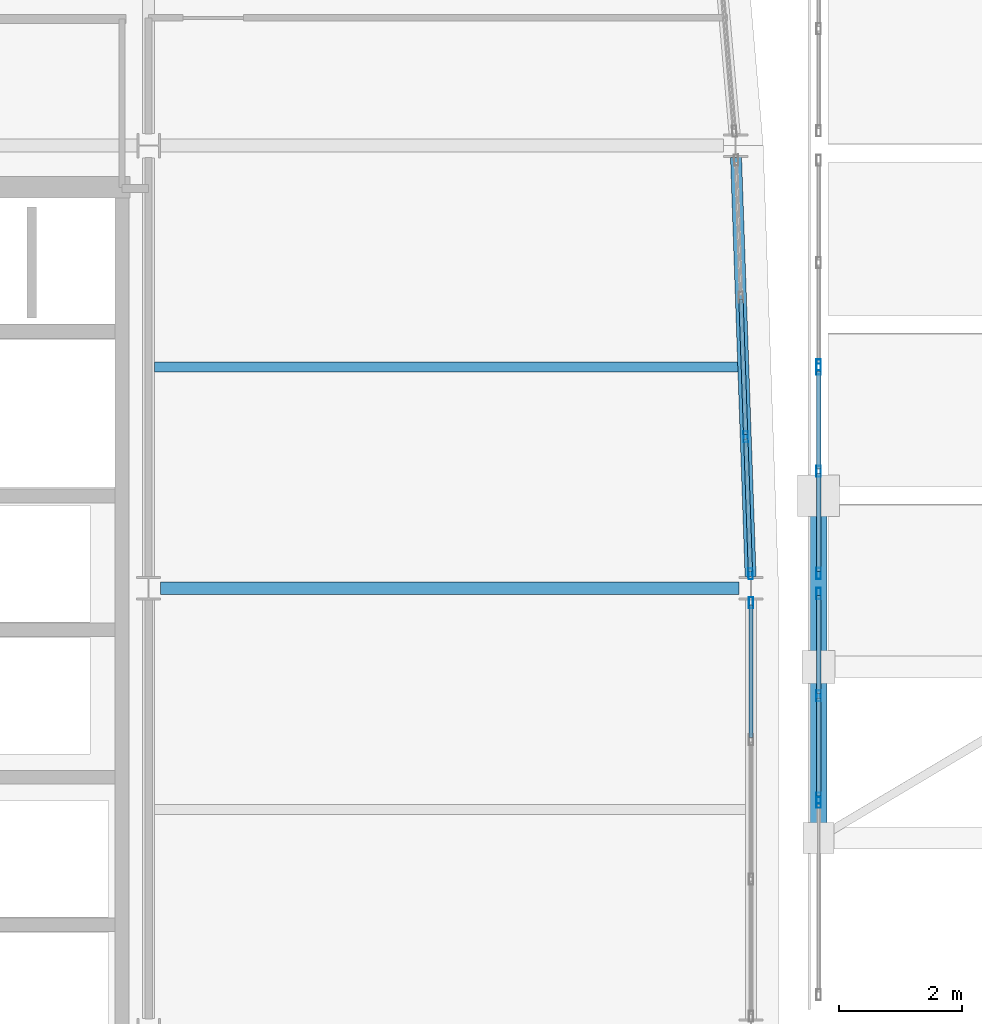
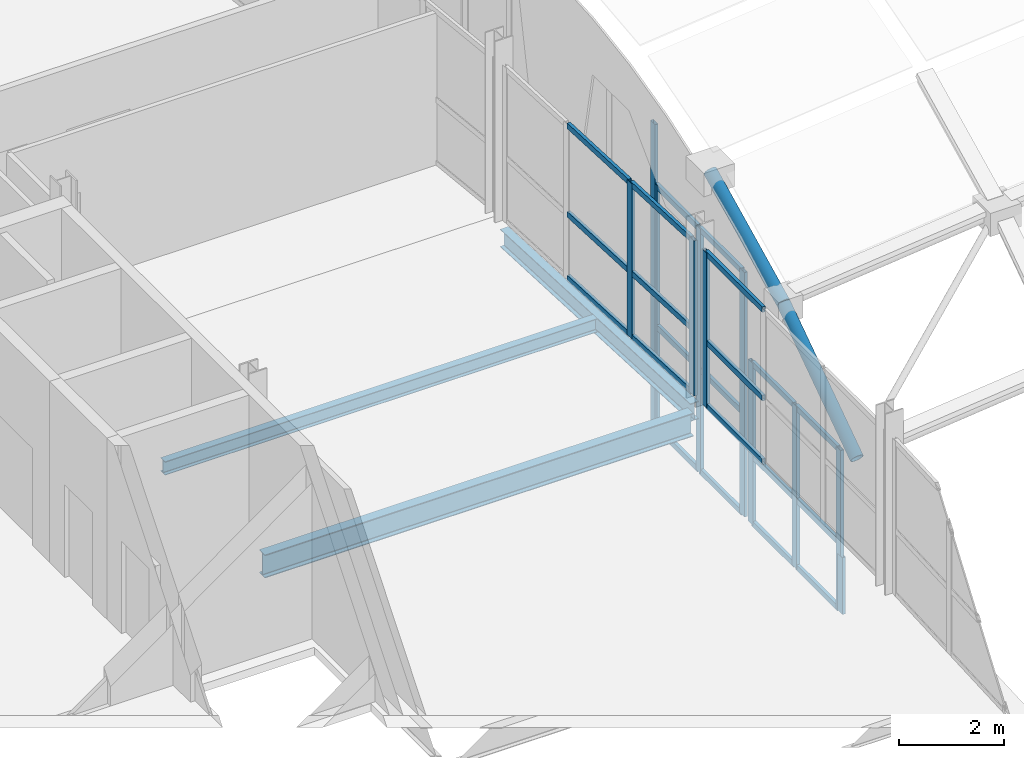
# One storey, part 20 of 65: 32 members, 5 beams, 6 elements without a shape of their own.
"""IFC4 building model written with IfcOpenShell, lengths in metres."""

from ifc_helpers import new_model, si_unit, direction, frame, origin, origin_2d, place, context, subcontext, project, spatial, hollow_rectangle, hollow_circle, i_section, extrude, material, layer, layer_set, material_profile, profile_set, type_object, element, aggregate, save


model = new_model("IFC4")

# Units and contexts
model_context = context("Model", 3, precision=1e-05, world=origin(), true_north=direction((0.0, 1.0)))
body_context = subcontext(model_context, "Body", "Model", "MODEL_VIEW")
ifc_project = project(units=[si_unit("LENGTHUNIT", "METRE"), si_unit("AREAUNIT", "SQUARE_METRE"), si_unit("VOLUMEUNIT", "CUBIC_METRE"), si_unit("PLANEANGLEUNIT", "RADIAN"), si_unit("MASSUNIT", "GRAM", prefix="KILO")], contexts=[model_context])

# Site, building, storey
site_placement = place(None, origin())
site = spatial("IfcSite", under=ifc_project, at=site_placement, CompositionType="ELEMENT")
building_placement = place(site_placement, origin())
building = spatial("IfcBuilding", under=site, at=building_placement, Name="Quillay Park Conservatory", CompositionType="ELEMENT")
storey_placement = place(building_placement, frame((0.0, 0.0, 14.10009765625)))
storey = spatial("IfcBuildingStorey", under=building, at=storey_placement, Name="L03", CompositionType="ELEMENT", Elevation=14.10009765625)

# Beam
ifc_material_1 = material(Name="Steel ASTM A992 Grade 50", Category="steel")
ifc_material_profile_1 = material_profile(ifc_material_1, i_section(OverallWidth=0.166015625, OverallDepth=0.31298828125, WebThickness=0.006591796875, FlangeThickness=0.01123046875, FilletRadius=0.010009765625, at=origin_2d()), Name="W310x45")
ifc_profile_set_1 = profile_set([ifc_material_profile_1], Name="Steel ASTM A992 Grade 50")
beam_type_1 = type_object("IfcBeamType", Name="COMPOSITE FLOOR JOIST W310 X45", PredefinedType="JOIST", material=ifc_profile_set_1)
beam_1_placement = place(storey_placement, frame((19.845947265625, 96.0, -0.341552734375), z_axis=(1.0, 0.0, 0.0), x_axis=(0.0, 1.0, 0.0)))
element("IfcBeam", 1, at=beam_1_placement, inside=storey, type_object=beam_type_1, Name="L03 beam BM-J-0297", PredefinedType="JOIST", context=body_context, shape_type="SweptSolid", body=[
    extrude(i_section(OverallWidth=0.166015625, OverallDepth=0.31298828125, WebThickness=0.006591796875, FlangeThickness=0.01123046875, FilletRadius=0.010009765625, at=origin_2d()), origin(), (0.0, 0.0, 1.0), 9.489013671875),
])

# Curtain wall, member
ifc_material_2 = material(Name="Thermally Broken Anodised Aluminium 6063-T6", Category="aluminium")
ifc_layer_1 = layer(ifc_material_2, 0.179931640625)
ifc_layer_set_1 = layer_set([ifc_layer_1], Name="UNITISED CURTAIN WALL TOWER (Thermally Broken Anodised Aluminium 6063-T6)")
curtain_wall_type_1 = type_object("IfcCurtainWallType", Name="UNITISED CURTAIN WALL TOWER", PredefinedType="USERDEFINED", material=ifc_layer_set_1)
curtain_wall_1_placement = place(storey_placement, origin())
curtain_wall_1 = element("IfcCurtainWall", 2, at=curtain_wall_1_placement, inside=storey, type_object=curtain_wall_type_1, Name="L03 Unitised Curtain Wall 031", ObjectType="UNITISED CURTAIN WALL", PredefinedType="USERDEFINED")
ifc_material_3 = material(Name="Thermally Broken Anodised Aluminium 6063-T6", Category="aluminium")
ifc_material_profile_2 = material_profile(ifc_material_3, hollow_rectangle(XDim=0.070068359375, YDim=0.179931640625, WallThickness=0.00390625, at=origin_2d()), Name="AL70x180x4")
ifc_profile_set_2 = profile_set([ifc_material_profile_2], Name="Thermally Broken Anodised Aluminium 6063-T6")
member_type_1 = type_object("IfcMemberType", Name="CURTAIN WALL MULLION 70 X180", PredefinedType="MULLION", material=ifc_profile_set_2)
member_1_placement = place(storey_placement, frame((29.550048828125, 92.1650390625, 0.0), z_axis=(0.0, 0.0, 1.0), x_axis=(1.0, 0.0, 0.0)))
member_1 = element("IfcMember", 3, at=member_1_placement, type_object=member_type_1, Name="CW-T1 mullion 1", PredefinedType="MULLION", context=body_context, shape_type="SweptSolid", body=[
    extrude(hollow_rectangle(XDim=0.070068359375, YDim=0.179931640625, WallThickness=0.00390625, at=origin_2d()), origin(), (0.0, 0.0, 1.0), 3.598876953125),
])

# Curtain wall, members
curtain_wall_2_placement = place(storey_placement, origin())
curtain_wall_2 = element("IfcCurtainWall", 4, at=curtain_wall_2_placement, inside=storey, type_object=curtain_wall_type_1, Name="L03 Unitised Curtain Wall 032", ObjectType="UNITISED CURTAIN WALL", PredefinedType="USERDEFINED")
member_2_placement = place(storey_placement, frame((29.46435546875, 94.86669921875, 0.0), z_axis=(0.0, 0.0, 1.0), x_axis=(0.999397310446, 0.034713338537, 0.0)))
member_2 = element("IfcMember", 5, at=member_2_placement, type_object=member_type_1, Name="CW-T1 mullion 3", PredefinedType="MULLION", context=body_context, shape_type="SweptSolid", body=[
    extrude(hollow_rectangle(XDim=0.070068359375, YDim=0.179931640625, WallThickness=0.00390625, at=origin_2d()), origin(), (0.0, 0.0, 1.0), 3.598876953125),
])
member_3_placement = place(storey_placement, frame((29.5419921875, 92.634765625, 0.0), z_axis=(0.0, 0.0, 1.0), x_axis=(0.999397310446, 0.034713338537, 0.0)))
member_3 = element("IfcMember", 6, at=member_3_placement, type_object=member_type_1, Name="CW-T1 mullion 4", PredefinedType="MULLION", context=body_context, shape_type="SweptSolid", body=[
    extrude(hollow_rectangle(XDim=0.070068359375, YDim=0.179931640625, WallThickness=0.00390625, at=origin_2d()), origin(), (0.0, 0.0, 1.0), 3.598876953125),
])

# Curtain wall, member
ifc_material_4 = material(Name="Thermally Broken Anodised Aluminium 6063-T6", Category="aluminium")
ifc_layer_2 = layer(ifc_material_4, 0.219970703125)
ifc_layer_set_2 = layer_set([ifc_layer_2], Name="UNITISED CURTAIN WALL CONSERVATORY (Thermally Broken Anodised Aluminium 6063-T6)")
curtain_wall_type_2 = type_object("IfcCurtainWallType", Name="UNITISED CURTAIN WALL CONSERVATORY", PredefinedType="USERDEFINED", material=ifc_layer_set_2)
curtain_wall_3_placement = place(storey_placement, origin())
curtain_wall_3 = element("IfcCurtainWall", 7, at=curtain_wall_3_placement, inside=storey, type_object=curtain_wall_type_2, Name="L03 Unitised Curtain Wall 175", ObjectType="UNITISED CURTAIN WALL", PredefinedType="USERDEFINED")
member_4_placement = place(storey_placement, frame((30.64990234375, 88.9150390625, -3.2001953125), z_axis=(0.0, 0.0, 1.0), x_axis=(-1.0, 0.0, 0.0)))
member_4 = element("IfcMember", 8, at=member_4_placement, type_object=member_type_1, Name="CW-C1 mullion 2", PredefinedType="MULLION", context=body_context, shape_type="SweptSolid", body=[
    extrude(hollow_rectangle(XDim=0.070068359375, YDim=0.179931640625, WallThickness=0.00390625, at=origin_2d()), origin(), (0.0, 0.0, 1.0), 1.318115234375),
])
aggregate(curtain_wall_3, [member_4])

# Curtain wall, members
curtain_wall_4_placement = place(storey_placement, origin())
curtain_wall_4 = element("IfcCurtainWall", 9, at=curtain_wall_4_placement, inside=storey, type_object=curtain_wall_type_2, Name="L03 Unitised Curtain Wall 177", ObjectType="UNITISED CURTAIN WALL", PredefinedType="USERDEFINED")
member_5_placement = place(storey_placement, frame((30.64990234375, 88.985107421875, -3.2001953125), z_axis=(0.0, 0.0, 1.0), x_axis=(-1.0, 0.0, 0.0)))
member_5 = element("IfcMember", 10, at=member_5_placement, type_object=member_type_1, Name="CW-C1 mullion 1", PredefinedType="MULLION", context=body_context, shape_type="SweptSolid", body=[
    extrude(hollow_rectangle(XDim=0.070068359375, YDim=0.179931640625, WallThickness=0.00390625, at=origin_2d()), origin(), (0.0, 0.0, 1.0), 3.76318359375),
])
member_6_placement = place(storey_placement, frame((30.64990234375, 90.64990234375, -3.2001953125), z_axis=(0.0, 0.0, 1.0), x_axis=(-1.0, 0.0, 0.0)))
member_6 = element("IfcMember", 11, at=member_6_placement, type_object=member_type_1, Name="CW-C1 mullion 2", PredefinedType="MULLION", context=body_context, shape_type="SweptSolid", body=[
    extrude(hollow_rectangle(XDim=0.070068359375, YDim=0.179931640625, WallThickness=0.00390625, at=origin_2d()), origin(), (0.0, 0.0, 1.0), 3.76318359375),
])
member_7_placement = place(storey_placement, frame((30.64990234375, 92.31494140625, -3.2001953125), z_axis=(0.0, 0.0, 1.0), x_axis=(-1.0, 0.0, 0.0)))
member_7 = element("IfcMember", 12, at=member_7_placement, type_object=member_type_1, Name="CW-C1 mullion 3", PredefinedType="MULLION", context=body_context, shape_type="SweptSolid", body=[
    extrude(hollow_rectangle(XDim=0.070068359375, YDim=0.179931640625, WallThickness=0.00390625, at=origin_2d()), origin(), (0.0, 0.0, 1.0), 3.76318359375),
])

curtain_wall_5_placement = place(storey_placement, origin())
curtain_wall_5 = element("IfcCurtainWall", 13, at=curtain_wall_5_placement, inside=storey, type_object=curtain_wall_type_2, Name="L03 Unitised Curtain Wall 179", ObjectType="UNITISED CURTAIN WALL", PredefinedType="USERDEFINED")
member_8_placement = place(storey_placement, frame((30.64990234375, 92.639892578125, -3.2001953125), z_axis=(0.0, 0.0, 1.0), x_axis=(-1.0, 0.0, 0.0)))
member_8 = element("IfcMember", 14, at=member_8_placement, type_object=member_type_1, Name="CW-C1 mullion 1", PredefinedType="MULLION", context=body_context, shape_type="SweptSolid", body=[
    extrude(hollow_rectangle(XDim=0.070068359375, YDim=0.179931640625, WallThickness=0.00390625, at=origin_2d()), origin(), (0.0, 0.0, 1.0), 5.673583984375),
])
member_9_placement = place(storey_placement, frame((30.64990234375, 94.302490234375, -3.2001953125), z_axis=(0.0, 0.0, 1.0), x_axis=(-1.0, 0.0, 0.0)))
member_9 = element("IfcMember", 15, at=member_9_placement, type_object=member_type_1, Name="CW-C1 mullion 2", PredefinedType="MULLION", context=body_context, shape_type="SweptSolid", body=[
    extrude(hollow_rectangle(XDim=0.070068359375, YDim=0.179931640625, WallThickness=0.00390625, at=origin_2d()), origin(), (0.0, 0.0, 1.0), 5.673583984375),
])
member_10_placement = place(storey_placement, frame((30.64990234375, 95.965087890625, -3.2001953125), z_axis=(0.0, 0.0, 1.0), x_axis=(-1.0, 0.0, 0.0)))
member_10 = element("IfcMember", 16, at=member_10_placement, type_object=member_type_1, Name="CW-C1 mullion 3", PredefinedType="MULLION", context=body_context, shape_type="SweptSolid", body=[
    extrude(hollow_rectangle(XDim=0.070068359375, YDim=0.179931640625, WallThickness=0.00390625, at=origin_2d()), origin(), (0.0, 0.0, 1.0), 5.673583984375),
])

# Curtain wall, member
curtain_wall_6_placement = place(storey_placement, origin())
curtain_wall_6 = element("IfcCurtainWall", 17, at=curtain_wall_6_placement, inside=storey, type_object=curtain_wall_type_2, Name="L03 Unitised Curtain Wall 180", ObjectType="UNITISED CURTAIN WALL", PredefinedType="USERDEFINED")
member_11_placement = place(storey_placement, frame((30.64990234375, 96.034912109375, -3.2001953125), z_axis=(0.0, 0.0, 1.0), x_axis=(-1.0, 0.0, 0.0)))
member_11 = element("IfcMember", 18, at=member_11_placement, type_object=member_type_1, Name="CW-C1 mullion 1", PredefinedType="MULLION", context=body_context, shape_type="SweptSolid", body=[
    extrude(hollow_rectangle(XDim=0.070068359375, YDim=0.179931640625, WallThickness=0.00390625, at=origin_2d()), origin(), (0.0, 0.0, 1.0), 7.044677734375),
])
aggregate(curtain_wall_6, [member_11])

# Member
ifc_material_5 = material(Name="Thermally Broken Anodised Aluminium 6063-T6", Category="aluminium")
ifc_material_profile_3 = material_profile(ifc_material_5, hollow_rectangle(XDim=0.070068359375, YDim=0.1298828125, WallThickness=0.003173828125, at=origin_2d()), Name="AL70x130x3.2")
ifc_profile_set_3 = profile_set([ifc_material_profile_3], Name="Thermally Broken Anodised Aluminium 6063-T6")
member_type_2 = type_object("IfcMemberType", Name="CURTAIN WALL TRANSOM 70 X130", PredefinedType="USERDEFINED", material=ifc_profile_set_3)
member_12_placement = place(storey_placement, frame((29.550048828125, 92.1298828125, 0.034912109375), z_axis=(0.0, -1.0, 0.0), x_axis=(1.0, 0.0, 0.0)))
member_12 = element("IfcMember", 19, at=member_12_placement, type_object=member_type_2, Name="CW-T1 transom 1.1", ObjectType="TRANSOM", PredefinedType="USERDEFINED", context=body_context, shape_type="SweptSolid", body=[
    extrude(hollow_rectangle(XDim=0.070068359375, YDim=0.1298828125, WallThickness=0.003173828125, at=origin_2d()), origin(), (0.0, 0.0, 1.0), 2.16162109375),
])

member_13_placement = place(storey_placement, frame((29.550048828125, 92.1298828125, 1.511474609375), z_axis=(0.0, -1.0, 0.0), x_axis=(1.0, 0.0, 0.0)))
member_13 = element("IfcMember", 20, at=member_13_placement, type_object=member_type_2, Name="CW-T1 transom 1.2", ObjectType="TRANSOM", PredefinedType="USERDEFINED", context=body_context, shape_type="SweptSolid", body=[
    extrude(hollow_rectangle(XDim=0.070068359375, YDim=0.1298828125, WallThickness=0.003173828125, at=origin_2d()), origin(), (0.0, 0.0, 1.0), 2.16162109375),
])

member_14_placement = place(storey_placement, frame((29.550048828125, 92.1298828125, 3.56396484375), z_axis=(0.0, -1.0, 0.0), x_axis=(1.0, 0.0, 0.0)))
member_14 = element("IfcMember", 21, at=member_14_placement, type_object=member_type_2, Name="CW-T1 transom 1.3", ObjectType="TRANSOM", PredefinedType="USERDEFINED", context=body_context, shape_type="SweptSolid", body=[
    extrude(hollow_rectangle(XDim=0.070068359375, YDim=0.1298828125, WallThickness=0.003173828125, at=origin_2d()), origin(), (0.0, 0.0, 1.0), 2.16162109375),
])

aggregate(curtain_wall_1, [member_1, member_12, member_13, member_14])

member_15_placement = place(storey_placement, frame((29.386962890625, 97.098388671875, 0.034912109375), z_axis=(0.034653546152, -0.999399385501, 0.0), x_axis=(0.999399385501, 0.034653546152, 0.0)))
member_15 = element("IfcMember", 22, at=member_15_placement, type_object=member_type_2, Name="CW-T1 transom 2.1", ObjectType="TRANSOM", PredefinedType="USERDEFINED", context=body_context, shape_type="SweptSolid", body=[
    extrude(hollow_rectangle(XDim=0.070068359375, YDim=0.1298828125, WallThickness=0.003173828125, at=origin_2d()), origin(), (0.0, 0.0, 1.0), 2.197998046875),
])

member_16_placement = place(storey_placement, frame((29.386962890625, 97.098388671875, 1.511474609375), z_axis=(0.034653546152, -0.999399385501, 0.0), x_axis=(0.999399385501, 0.034653546152, 0.0)))
member_16 = element("IfcMember", 23, at=member_16_placement, type_object=member_type_2, Name="CW-T1 transom 2.2", ObjectType="TRANSOM", PredefinedType="USERDEFINED", context=body_context, shape_type="SweptSolid", body=[
    extrude(hollow_rectangle(XDim=0.070068359375, YDim=0.1298828125, WallThickness=0.003173828125, at=origin_2d()), origin(), (0.0, 0.0, 1.0), 2.197998046875),
])

member_17_placement = place(storey_placement, frame((29.386962890625, 97.098388671875, 3.56396484375), z_axis=(0.034653546152, -0.999399385501, 0.0), x_axis=(0.999399385501, 0.034653546152, 0.0)))
member_17 = element("IfcMember", 24, at=member_17_placement, type_object=member_type_2, Name="CW-T1 transom 2.3", ObjectType="TRANSOM", PredefinedType="USERDEFINED", context=body_context, shape_type="SweptSolid", body=[
    extrude(hollow_rectangle(XDim=0.070068359375, YDim=0.1298828125, WallThickness=0.003173828125, at=origin_2d()), origin(), (0.0, 0.0, 1.0), 2.197998046875),
])

member_18_placement = place(storey_placement, frame((29.465576171875, 94.83154296875, 0.034912109375), z_axis=(0.034765508592, -0.999395496994, 0.0), x_axis=(0.999395496994, 0.034765508592, 0.0)))
member_18 = element("IfcMember", 25, at=member_18_placement, type_object=member_type_2, Name="CW-T1 transom 3.1", ObjectType="TRANSOM", PredefinedType="USERDEFINED", context=body_context, shape_type="SweptSolid", body=[
    extrude(hollow_rectangle(XDim=0.070068359375, YDim=0.1298828125, WallThickness=0.003173828125, at=origin_2d()), origin(), (0.0, 0.0, 1.0), 2.162841796875),
])

member_19_placement = place(storey_placement, frame((29.465576171875, 94.83154296875, 1.511474609375), z_axis=(0.034765508592, -0.999395496994, 0.0), x_axis=(0.999395496994, 0.034765508592, 0.0)))
member_19 = element("IfcMember", 26, at=member_19_placement, type_object=member_type_2, Name="CW-T1 transom 3.2", ObjectType="TRANSOM", PredefinedType="USERDEFINED", context=body_context, shape_type="SweptSolid", body=[
    extrude(hollow_rectangle(XDim=0.070068359375, YDim=0.1298828125, WallThickness=0.003173828125, at=origin_2d()), origin(), (0.0, 0.0, 1.0), 2.162841796875),
])

member_20_placement = place(storey_placement, frame((29.465576171875, 94.83154296875, 3.56396484375), z_axis=(0.034765508592, -0.999395496994, 0.0), x_axis=(0.999395496994, 0.034765508592, 0.0)))
member_20 = element("IfcMember", 27, at=member_20_placement, type_object=member_type_2, Name="CW-T1 transom 3.3", ObjectType="TRANSOM", PredefinedType="USERDEFINED", context=body_context, shape_type="SweptSolid", body=[
    extrude(hollow_rectangle(XDim=0.070068359375, YDim=0.1298828125, WallThickness=0.003173828125, at=origin_2d()), origin(), (0.0, 0.0, 1.0), 2.162841796875),
])

aggregate(curtain_wall_2, [member_2, member_3, member_15, member_16, member_17, member_18, member_19, member_20])

member_21_placement = place(storey_placement, frame((30.64990234375, 89.02001953125, -3.1650390625), z_axis=(0.0, 1.0, 0.0), x_axis=(-1.0, 0.0, 0.0)))
member_21 = element("IfcMember", 28, at=member_21_placement, type_object=member_type_2, Name="CW-C1 transom 1.1", ObjectType="TRANSOM", PredefinedType="USERDEFINED", context=body_context, shape_type="SweptSolid", body=[
    extrude(hollow_rectangle(XDim=0.070068359375, YDim=0.1298828125, WallThickness=0.003173828125, at=origin_2d()), origin(), (0.0, 0.0, 1.0), 1.594970703125),
])

member_22_placement = place(storey_placement, frame((30.64990234375, 89.02001953125, -1.61962890625), z_axis=(0.0, 1.0, 0.0), x_axis=(-1.0, 0.0, 0.0)))
member_22 = element("IfcMember", 29, at=member_22_placement, type_object=member_type_2, Name="CW-C1 transom 1.2", ObjectType="TRANSOM", PredefinedType="USERDEFINED", context=body_context, shape_type="SweptSolid", body=[
    extrude(hollow_rectangle(XDim=0.070068359375, YDim=0.1298828125, WallThickness=0.003173828125, at=origin_2d()), origin(), (0.0, 0.0, 1.0), 1.594970703125),
])

member_23_placement = place(storey_placement, frame((30.64990234375, 89.02001953125, 0.528076171875), z_axis=(0.0, 1.0, 0.0), x_axis=(-1.0, 0.0, 0.0)))
member_23 = element("IfcMember", 30, at=member_23_placement, type_object=member_type_2, Name="CW-C1 transom 1.3", ObjectType="TRANSOM", PredefinedType="USERDEFINED", context=body_context, shape_type="SweptSolid", body=[
    extrude(hollow_rectangle(XDim=0.070068359375, YDim=0.1298828125, WallThickness=0.003173828125, at=origin_2d()), origin(), (0.0, 0.0, 1.0), 1.594970703125),
])

member_24_placement = place(storey_placement, frame((30.64990234375, 90.68505859375, -3.1650390625), z_axis=(0.0, 1.0, 0.0), x_axis=(-1.0, 0.0, 0.0)))
member_24 = element("IfcMember", 31, at=member_24_placement, type_object=member_type_2, Name="CW-C1 transom 2.1", ObjectType="TRANSOM", PredefinedType="USERDEFINED", context=body_context, shape_type="SweptSolid", body=[
    extrude(hollow_rectangle(XDim=0.070068359375, YDim=0.1298828125, WallThickness=0.003173828125, at=origin_2d()), origin(), (0.0, 0.0, 1.0), 1.594970703125),
])

member_25_placement = place(storey_placement, frame((30.64990234375, 90.68505859375, -1.61962890625), z_axis=(0.0, 1.0, 0.0), x_axis=(-1.0, 0.0, 0.0)))
member_25 = element("IfcMember", 32, at=member_25_placement, type_object=member_type_2, Name="CW-C1 transom 2.2", ObjectType="TRANSOM", PredefinedType="USERDEFINED", context=body_context, shape_type="SweptSolid", body=[
    extrude(hollow_rectangle(XDim=0.070068359375, YDim=0.1298828125, WallThickness=0.003173828125, at=origin_2d()), origin(), (0.0, 0.0, 1.0), 1.594970703125),
])

member_26_placement = place(storey_placement, frame((30.64990234375, 90.68505859375, 0.528076171875), z_axis=(0.0, 1.0, 0.0), x_axis=(-1.0, 0.0, 0.0)))
member_26 = element("IfcMember", 33, at=member_26_placement, type_object=member_type_2, Name="CW-C1 transom 2.3", ObjectType="TRANSOM", PredefinedType="USERDEFINED", context=body_context, shape_type="SweptSolid", body=[
    extrude(hollow_rectangle(XDim=0.070068359375, YDim=0.1298828125, WallThickness=0.003173828125, at=origin_2d()), origin(), (0.0, 0.0, 1.0), 1.594970703125),
])

aggregate(curtain_wall_4, [member_5, member_6, member_7, member_21, member_22, member_23, member_24, member_25, member_26])

member_27_placement = place(storey_placement, frame((30.64990234375, 92.675048828125, -3.1650390625), z_axis=(0.0, 1.0, 0.0), x_axis=(-1.0, 0.0, 0.0)))
member_27 = element("IfcMember", 34, at=member_27_placement, type_object=member_type_2, Name="CW-C1 transom 1.1", ObjectType="TRANSOM", PredefinedType="USERDEFINED", context=body_context, shape_type="SweptSolid", body=[
    extrude(hollow_rectangle(XDim=0.070068359375, YDim=0.1298828125, WallThickness=0.003173828125, at=origin_2d()), origin(), (0.0, 0.0, 1.0), 1.592529296875),
])

member_28_placement = place(storey_placement, frame((30.64990234375, 92.675048828125, -0.8173828125), z_axis=(0.0, 1.0, 0.0), x_axis=(-1.0, 0.0, 0.0)))
member_28 = element("IfcMember", 35, at=member_28_placement, type_object=member_type_2, Name="CW-C1 transom 1.2", ObjectType="TRANSOM", PredefinedType="USERDEFINED", context=body_context, shape_type="SweptSolid", body=[
    extrude(hollow_rectangle(XDim=0.070068359375, YDim=0.1298828125, WallThickness=0.003173828125, at=origin_2d()), origin(), (0.0, 0.0, 1.0), 1.592529296875),
])

member_29_placement = place(storey_placement, frame((30.64990234375, 92.675048828125, 2.438232421875), z_axis=(0.0, 1.0, 0.0), x_axis=(-1.0, 0.0, 0.0)))
member_29 = element("IfcMember", 36, at=member_29_placement, type_object=member_type_2, Name="CW-C1 transom 1.3", ObjectType="TRANSOM", PredefinedType="USERDEFINED", context=body_context, shape_type="SweptSolid", body=[
    extrude(hollow_rectangle(XDim=0.070068359375, YDim=0.1298828125, WallThickness=0.003173828125, at=origin_2d()), origin(), (0.0, 0.0, 1.0), 1.592529296875),
])

member_30_placement = place(storey_placement, frame((30.64990234375, 94.33740234375, -3.1650390625), z_axis=(0.0, 1.0, 0.0), x_axis=(-1.0, 0.0, 0.0)))
member_30 = element("IfcMember", 37, at=member_30_placement, type_object=member_type_2, Name="CW-C1 transom 2.1", ObjectType="TRANSOM", PredefinedType="USERDEFINED", context=body_context, shape_type="SweptSolid", body=[
    extrude(hollow_rectangle(XDim=0.070068359375, YDim=0.1298828125, WallThickness=0.003173828125, at=origin_2d()), origin(), (0.0, 0.0, 1.0), 1.592529296875),
])

member_31_placement = place(storey_placement, frame((30.64990234375, 94.33740234375, -0.8173828125), z_axis=(0.0, 1.0, 0.0), x_axis=(-1.0, 0.0, 0.0)))
member_31 = element("IfcMember", 38, at=member_31_placement, type_object=member_type_2, Name="CW-C1 transom 2.2", ObjectType="TRANSOM", PredefinedType="USERDEFINED", context=body_context, shape_type="SweptSolid", body=[
    extrude(hollow_rectangle(XDim=0.070068359375, YDim=0.1298828125, WallThickness=0.003173828125, at=origin_2d()), origin(), (0.0, 0.0, 1.0), 1.592529296875),
])

member_32_placement = place(storey_placement, frame((30.64990234375, 94.33740234375, 2.438232421875), z_axis=(0.0, 1.0, 0.0), x_axis=(-1.0, 0.0, 0.0)))
member_32 = element("IfcMember", 39, at=member_32_placement, type_object=member_type_2, Name="CW-C1 transom 2.3", ObjectType="TRANSOM", PredefinedType="USERDEFINED", context=body_context, shape_type="SweptSolid", body=[
    extrude(hollow_rectangle(XDim=0.070068359375, YDim=0.1298828125, WallThickness=0.003173828125, at=origin_2d()), origin(), (0.0, 0.0, 1.0), 1.592529296875),
])

aggregate(curtain_wall_5, [member_8, member_9, member_10, member_27, member_28, member_29, member_30, member_31, member_32])

# Beams
ifc_material_6 = material(Name="Steel S355J2H", Category="steel")
ifc_material_profile_4 = material_profile(ifc_material_6, hollow_circle(Radius=0.136474609375, WallThickness=0.012451171875, at=origin_2d()), Name="CHS273x12.5")
ifc_profile_set_4 = profile_set([ifc_material_profile_4], Name="Steel S355J2H")
beam_type_2 = type_object("IfcBeamType", Name="GRIDSHELL ARCH BEAM CHS273", PredefinedType="USERDEFINED", material=ifc_profile_set_4)
beam_2_placement = place(storey_placement, frame((30.64990234375, 88.3349609375, 0.711181640625), z_axis=(0.0, 0.824682609274, 0.565595786725), x_axis=(-1.0, 0.0, 0.0)))
element("IfcBeam", 40, at=beam_2_placement, inside=storey, type_object=beam_type_2, Name="Gridshell member GS-ARCH-00-01", ObjectType="GRIDSHELL ARCH BEAM", PredefinedType="USERDEFINED", context=body_context, shape_type="SweptSolid", body=[
    extrude(hollow_circle(Radius=0.136474609375, WallThickness=0.012451171875, at=origin_2d()), origin(), (0.0, 0.0, 1.0), 3.377197265625),
])
beam_3_placement = place(storey_placement, frame((30.64990234375, 91.1201171875, 2.621337890625), z_axis=(0.0, 0.897163004175, 0.441699608262), x_axis=(-1.0, 0.0, 0.0)))
element("IfcBeam", 41, at=beam_3_placement, inside=storey, type_object=beam_type_2, Name="Gridshell member GS-ARCH-00-02", ObjectType="GRIDSHELL ARCH BEAM", PredefinedType="USERDEFINED", context=body_context, shape_type="SweptSolid", body=[
    extrude(hollow_circle(Radius=0.136474609375, WallThickness=0.012451171875, at=origin_2d()), origin(), (0.0, 0.0, 1.0), 3.104248046875),
])
ifc_material_7 = material(Name="Steel ASTM A992 Grade 50", Category="steel")
ifc_material_profile_5 = material_profile(ifc_material_7, i_section(OverallWidth=0.179931640625, OverallDepth=0.4130859375, WebThickness=0.009765625, FlangeThickness=0.01611328125, FilletRadius=0.011962890625, at=origin_2d()), Name="W410x74")
ifc_profile_set_5 = profile_set([ifc_material_profile_5], Name="Steel ASTM A992 Grade 50")
beam_type_3 = type_object("IfcBeamType", Name="PERIMETER SPANDREL BEAM W410 X74", PredefinedType="SPANDREL", material=ifc_profile_set_5)
beam_4_placement = place(storey_placement, frame((29.54345703125, 92.58984375, -0.3916015625), z_axis=(-0.034701310006, 0.999397728176, 0.0), x_axis=(-0.999397728176, -0.034701310006, 0.0)))
element("IfcBeam", 42, at=beam_4_placement, inside=storey, type_object=beam_type_3, Name="L03 beam BM-SPE-0293", PredefinedType="SPANDREL", context=body_context, shape_type="SweptSolid", body=[
    extrude(i_section(OverallWidth=0.179931640625, OverallDepth=0.4130859375, WebThickness=0.009765625, FlangeThickness=0.01611328125, FilletRadius=0.011962890625, at=origin_2d()), origin(), (0.0, 0.0, 1.0), 6.824462890625),
])
ifc_material_8 = material(Name="Steel ASTM A992 Grade 50", Category="steel")
ifc_material_profile_6 = material_profile(ifc_material_8, i_section(OverallWidth=0.2109375, OverallDepth=0.5390625, WebThickness=0.01171875, FlangeThickness=0.018798828125, FilletRadius=0.013916015625, at=origin_2d()), Name="W530x109")
ifc_profile_set_6 = profile_set([ifc_material_profile_6], Name="Steel ASTM A992 Grade 50")
beam_type_4 = type_object("IfcBeamType", Name="PRIMARY FLOOR GIRDER W530 X109", PredefinedType="BEAM", material=ifc_profile_set_6)
beam_5_placement = place(storey_placement, frame((19.947509765625, 92.39990234375, -0.45458984375), z_axis=(1.0, 0.0, 0.0), x_axis=(0.0, 1.0, 0.0)))
element("IfcBeam", 43, at=beam_5_placement, inside=storey, type_object=beam_type_4, Name="L03 beam BM-G-0256", PredefinedType="BEAM", context=body_context, shape_type="SweptSolid", body=[
    extrude(i_section(OverallWidth=0.2109375, OverallDepth=0.5390625, WebThickness=0.01171875, FlangeThickness=0.018798828125, FilletRadius=0.013916015625, at=origin_2d()), origin(), (0.0, 0.0, 1.0), 9.405029296875),
])

save(model, "model.ifc")
